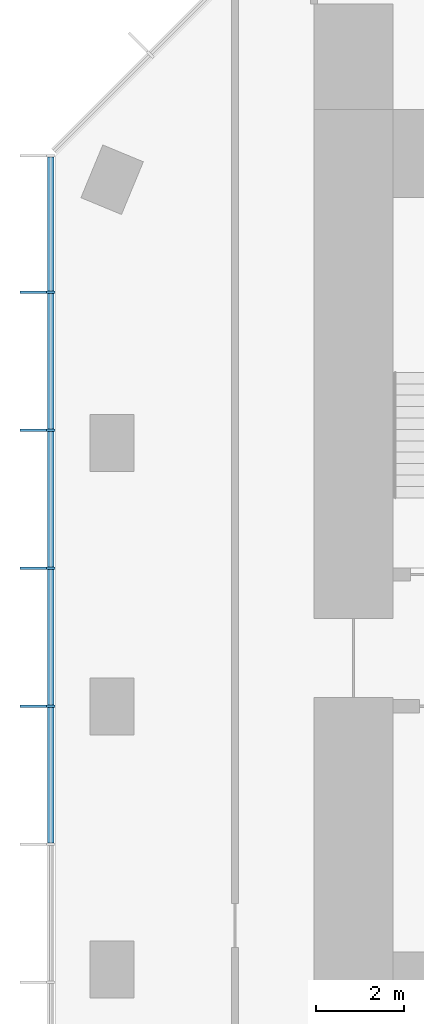
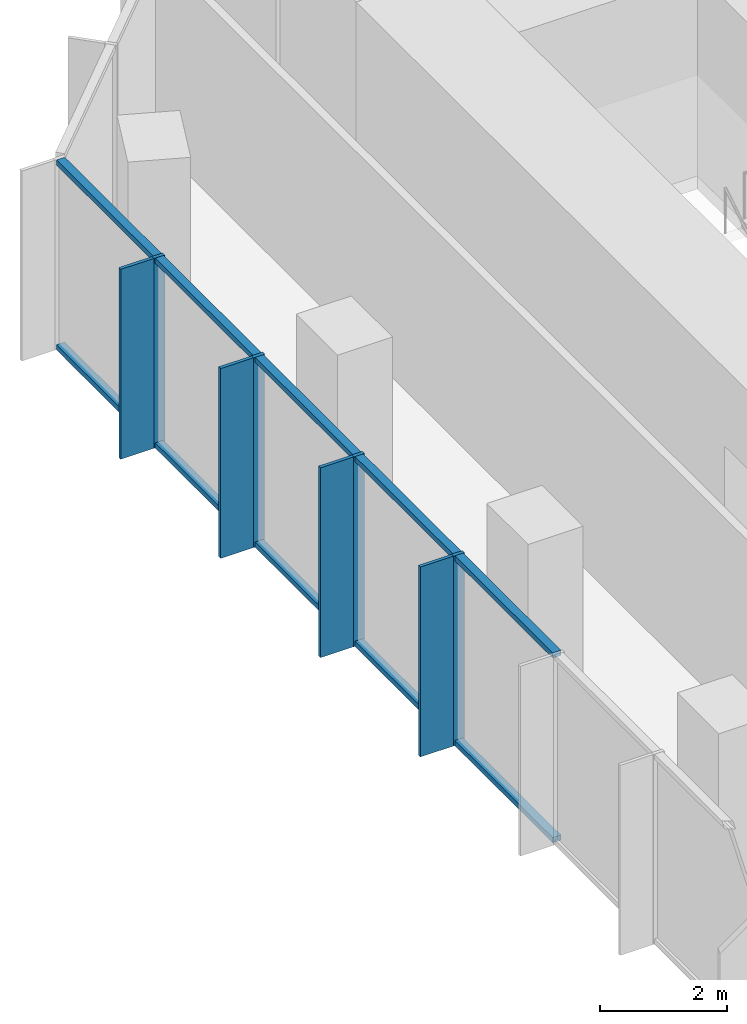
# One storey, part 3 of 11: 18 members, 1 element without a shape of its own.
"""IFC4 building model written with IfcOpenShell, lengths in metres."""

from ifc_helpers import new_model, si_unit, direction, frame, origin, origin_2d, place, context, subcontext, project, spatial, rectangle, extrude, material, layer, layer_set, material_profile, profile_set, type_object, element, aggregate, save


model = new_model("IFC4")

# Units and contexts
model_context = context("Model", 3, precision=1e-05, world=origin(), true_north=direction((0.0, 1.0)))
body_context = subcontext(model_context, "Body", "Model", "MODEL_VIEW")
ifc_project = project(units=[si_unit("LENGTHUNIT", "METRE"), si_unit("AREAUNIT", "SQUARE_METRE"), si_unit("VOLUMEUNIT", "CUBIC_METRE"), si_unit("PLANEANGLEUNIT", "RADIAN"), si_unit("MASSUNIT", "GRAM", prefix="KILO")], contexts=[model_context])

# Site, building, storey
site_placement = place(None, origin())
site = spatial("IfcSite", under=ifc_project, at=site_placement, CompositionType="ELEMENT")
building_placement = place(site_placement, origin())
building = spatial("IfcBuilding", under=site, at=building_placement, Name="Highveld Stack Headquarters", CompositionType="ELEMENT")
storey_placement = place(building_placement, frame((0.0, 0.0, 291.800048828125)))
storey = spatial("IfcBuildingStorey", under=building, at=storey_placement, Name="L72", CompositionType="ELEMENT", Elevation=291.800048828125)

# Curtain wall, members
ifc_material_1 = material(Name="Aluminium bronze anodised", Category="aluminium")
ifc_layer = layer(ifc_material_1, 0.199951171875)
ifc_layer_set = layer_set([ifc_layer], Name="Aluminium bronze anodised")
curtain_wall_type = type_object("IfcCurtainWallType", Name="CW5 EXECUTIVE UNITISED CURTAIN WALL", PredefinedType="NOTDEFINED", material=ifc_layer_set)
curtain_wall_placement = place(storey_placement, origin())
curtain_wall = element("IfcCurtainWall", 1, at=curtain_wall_placement, inside=storey, type_object=curtain_wall_type, Name="Curtain wall CW5 L72 W", PredefinedType="NOTDEFINED")
ifc_material_2 = material(Name="Aluminium bronze anodised", Category="aluminium")
ifc_material_profile_1 = material_profile(ifc_material_2, rectangle(XDim=0.60009765625, YDim=0.06005859375, at=origin_2d()), Name="FIN 600x60")
ifc_profile_set_1 = profile_set([ifc_material_profile_1], Name="Aluminium bronze anodised")
member_type_1 = type_object("IfcMemberType", Name="CW5 BRONZE FIN 600x60", PredefinedType="USERDEFINED", material=ifc_profile_set_1)
member_1_placement = place(storey_placement, frame((-13.800048828125, 9.434814453125, 0.0), z_axis=(0.0, 0.0, 1.0), x_axis=(1.0, 0.0, 0.0)))
member_1 = element("IfcMember", 2, at=member_1_placement, type_object=member_type_1, Name="CW5 fin L72 2", ObjectType="FIN", PredefinedType="USERDEFINED", context=body_context, shape_type="SweptSolid", body=[
    extrude(rectangle(XDim=0.60009765625, YDim=0.06005859375, at=origin_2d()), origin(), (0.0, 0.0, 1.0), 3.64990234375),
])
member_2_placement = place(storey_placement, frame((-13.800048828125, 6.2900390625, 0.0), z_axis=(0.0, 0.0, 1.0), x_axis=(1.0, 0.0, 0.0)))
member_2 = element("IfcMember", 3, at=member_2_placement, type_object=member_type_1, Name="CW5 fin L72 3", ObjectType="FIN", PredefinedType="USERDEFINED", context=body_context, shape_type="SweptSolid", body=[
    extrude(rectangle(XDim=0.60009765625, YDim=0.06005859375, at=origin_2d()), origin(), (0.0, 0.0, 1.0), 3.64990234375),
])
member_3_placement = place(storey_placement, frame((-13.800048828125, 3.14501953125, 0.0), z_axis=(0.0, 0.0, 1.0), x_axis=(1.0, 0.0, 0.0)))
member_3 = element("IfcMember", 4, at=member_3_placement, type_object=member_type_1, Name="CW5 fin L72 4", ObjectType="FIN", PredefinedType="USERDEFINED", context=body_context, shape_type="SweptSolid", body=[
    extrude(rectangle(XDim=0.60009765625, YDim=0.06005859375, at=origin_2d()), origin(), (0.0, 0.0, 1.0), 3.64990234375),
])
member_4_placement = place(storey_placement, frame((-13.800048828125, 0.0, 0.0), z_axis=(0.0, 0.0, 1.0), x_axis=(1.0, 0.0, 0.0)))
member_4 = element("IfcMember", 5, at=member_4_placement, type_object=member_type_1, Name="CW5 fin L72 5", ObjectType="FIN", PredefinedType="USERDEFINED", context=body_context, shape_type="SweptSolid", body=[
    extrude(rectangle(XDim=0.60009765625, YDim=0.06005859375, at=origin_2d()), origin(), (0.0, 0.0, 1.0), 3.64990234375),
])
ifc_material_3 = material(Name="Aluminium bronze anodised", Category="aluminium")
ifc_material_profile_2 = material_profile(ifc_material_3, rectangle(XDim=0.199951171875, YDim=0.06494140625, at=origin_2d()), Name="CW5 MULLION 65x200")
ifc_profile_set_2 = profile_set([ifc_material_profile_2], Name="Aluminium bronze anodised")
member_type_2 = type_object("IfcMemberType", Name="CW5 MULLION 65x200", PredefinedType="MULLION", material=ifc_profile_set_2)
member_5_placement = place(storey_placement, frame((-13.39990234375, 9.434814453125, 0.0), z_axis=(0.0, 0.0, 1.0), x_axis=(1.0, 0.0, 0.0)))
member_5 = element("IfcMember", 6, at=member_5_placement, type_object=member_type_2, Name="CW5 mullion L72 2", PredefinedType="MULLION", context=body_context, shape_type="SweptSolid", body=[
    extrude(rectangle(XDim=0.199951171875, YDim=0.06494140625, at=origin_2d()), origin(), (0.0, 0.0, 1.0), 3.64990234375),
])
member_6_placement = place(storey_placement, frame((-13.39990234375, 6.2900390625, 0.0), z_axis=(0.0, 0.0, 1.0), x_axis=(1.0, 0.0, 0.0)))
member_6 = element("IfcMember", 7, at=member_6_placement, type_object=member_type_2, Name="CW5 mullion L72 3", PredefinedType="MULLION", context=body_context, shape_type="SweptSolid", body=[
    extrude(rectangle(XDim=0.199951171875, YDim=0.06494140625, at=origin_2d()), origin(), (0.0, 0.0, 1.0), 3.64990234375),
])
member_7_placement = place(storey_placement, frame((-13.39990234375, 3.14501953125, 0.0), z_axis=(0.0, 0.0, 1.0), x_axis=(1.0, 0.0, 0.0)))
member_7 = element("IfcMember", 8, at=member_7_placement, type_object=member_type_2, Name="CW5 mullion L72 4", PredefinedType="MULLION", context=body_context, shape_type="SweptSolid", body=[
    extrude(rectangle(XDim=0.199951171875, YDim=0.06494140625, at=origin_2d()), origin(), (0.0, 0.0, 1.0), 3.64990234375),
])
member_8_placement = place(storey_placement, frame((-13.39990234375, 0.0, 0.0), z_axis=(0.0, 0.0, 1.0), x_axis=(1.0, 0.0, 0.0)))
member_8 = element("IfcMember", 9, at=member_8_placement, type_object=member_type_2, Name="CW5 mullion L72 5", PredefinedType="MULLION", context=body_context, shape_type="SweptSolid", body=[
    extrude(rectangle(XDim=0.199951171875, YDim=0.06494140625, at=origin_2d()), origin(), (0.0, 0.0, 1.0), 3.64990234375),
])
ifc_material_4 = material(Name="Aluminium bronze anodised", Category="aluminium")
ifc_material_profile_3 = material_profile(ifc_material_4, rectangle(XDim=0.14990234375, YDim=0.10009765625, at=origin_2d()), Name="CW5 TRANSOM 150x100")
ifc_profile_set_3 = profile_set([ifc_material_profile_3], Name="Aluminium bronze anodised")
member_type_3 = type_object("IfcMemberType", Name="CW5 STACK TRANSOM 150x100", PredefinedType="USERDEFINED", material=ifc_profile_set_3)
member_9_placement = place(storey_placement, frame((-13.39990234375, 12.514892578125, 0.050048828125), z_axis=(0.0, -1.0, 0.0), x_axis=(1.0, 0.0, 0.0)))
member_9 = element("IfcMember", 10, at=member_9_placement, type_object=member_type_3, Name="CW5 transom L72 1.1", ObjectType="TRANSOM", PredefinedType="USERDEFINED", context=body_context, shape_type="SweptSolid", body=[
    extrude(rectangle(XDim=0.14990234375, YDim=0.10009765625, at=origin_2d()), origin(), (0.0, 0.0, 1.0), 3.047607421875),
])
member_10_placement = place(storey_placement, frame((-13.39990234375, 12.514892578125, 3.599853515625), z_axis=(0.0, -1.0, 0.0), x_axis=(1.0, 0.0, 0.0)))
member_10 = element("IfcMember", 11, at=member_10_placement, type_object=member_type_3, Name="CW5 transom L72 1.2", ObjectType="TRANSOM", PredefinedType="USERDEFINED", context=body_context, shape_type="SweptSolid", body=[
    extrude(rectangle(XDim=0.14990234375, YDim=0.10009765625, at=origin_2d()), origin(), (0.0, 0.0, 1.0), 3.047607421875),
])
member_11_placement = place(storey_placement, frame((-13.39990234375, 9.40234375, 0.050048828125), z_axis=(0.0, -1.0, 0.0), x_axis=(1.0, 0.0, 0.0)))
member_11 = element("IfcMember", 12, at=member_11_placement, type_object=member_type_3, Name="CW5 transom L72 2.1", ObjectType="TRANSOM", PredefinedType="USERDEFINED", context=body_context, shape_type="SweptSolid", body=[
    extrude(rectangle(XDim=0.14990234375, YDim=0.10009765625, at=origin_2d()), origin(), (0.0, 0.0, 1.0), 3.079833984375),
])
member_12_placement = place(storey_placement, frame((-13.39990234375, 9.40234375, 3.599853515625), z_axis=(0.0, -1.0, 0.0), x_axis=(1.0, 0.0, 0.0)))
member_12 = element("IfcMember", 13, at=member_12_placement, type_object=member_type_3, Name="CW5 transom L72 2.2", ObjectType="TRANSOM", PredefinedType="USERDEFINED", context=body_context, shape_type="SweptSolid", body=[
    extrude(rectangle(XDim=0.14990234375, YDim=0.10009765625, at=origin_2d()), origin(), (0.0, 0.0, 1.0), 3.079833984375),
])
member_13_placement = place(storey_placement, frame((-13.39990234375, 6.257568359375, 0.050048828125), z_axis=(0.0, -1.0, 0.0), x_axis=(1.0, 0.0, 0.0)))
member_13 = element("IfcMember", 14, at=member_13_placement, type_object=member_type_3, Name="CW5 transom L72 3.1", ObjectType="TRANSOM", PredefinedType="USERDEFINED", context=body_context, shape_type="SweptSolid", body=[
    extrude(rectangle(XDim=0.14990234375, YDim=0.10009765625, at=origin_2d()), origin(), (0.0, 0.0, 1.0), 3.080078125),
])
member_14_placement = place(storey_placement, frame((-13.39990234375, 6.257568359375, 3.599853515625), z_axis=(0.0, -1.0, 0.0), x_axis=(1.0, 0.0, 0.0)))
member_14 = element("IfcMember", 15, at=member_14_placement, type_object=member_type_3, Name="CW5 transom L72 3.2", ObjectType="TRANSOM", PredefinedType="USERDEFINED", context=body_context, shape_type="SweptSolid", body=[
    extrude(rectangle(XDim=0.14990234375, YDim=0.10009765625, at=origin_2d()), origin(), (0.0, 0.0, 1.0), 3.080078125),
])
member_15_placement = place(storey_placement, frame((-13.39990234375, 3.112548828125, 0.050048828125), z_axis=(0.0, -1.0, 0.0), x_axis=(1.0, 0.0, 0.0)))
member_15 = element("IfcMember", 16, at=member_15_placement, type_object=member_type_3, Name="CW5 transom L72 4.1", ObjectType="TRANSOM", PredefinedType="USERDEFINED", context=body_context, shape_type="SweptSolid", body=[
    extrude(rectangle(XDim=0.14990234375, YDim=0.10009765625, at=origin_2d()), origin(), (0.0, 0.0, 1.0), 3.080078125),
])
member_16_placement = place(storey_placement, frame((-13.39990234375, 3.112548828125, 3.599853515625), z_axis=(0.0, -1.0, 0.0), x_axis=(1.0, 0.0, 0.0)))
member_16 = element("IfcMember", 17, at=member_16_placement, type_object=member_type_3, Name="CW5 transom L72 4.2", ObjectType="TRANSOM", PredefinedType="USERDEFINED", context=body_context, shape_type="SweptSolid", body=[
    extrude(rectangle(XDim=0.14990234375, YDim=0.10009765625, at=origin_2d()), origin(), (0.0, 0.0, 1.0), 3.080078125),
])
member_17_placement = place(storey_placement, frame((-13.39990234375, -0.032470703125, 0.050048828125), z_axis=(0.0, -1.0, 0.0), x_axis=(1.0, 0.0, 0.0)))
member_17 = element("IfcMember", 18, at=member_17_placement, type_object=member_type_3, Name="CW5 transom L72 5.1", ObjectType="TRANSOM", PredefinedType="USERDEFINED", context=body_context, shape_type="SweptSolid", body=[
    extrude(rectangle(XDim=0.14990234375, YDim=0.10009765625, at=origin_2d()), origin(), (0.0, 0.0, 1.0), 3.080078125),
])
member_18_placement = place(storey_placement, frame((-13.39990234375, -0.032470703125, 3.599853515625), z_axis=(0.0, -1.0, 0.0), x_axis=(1.0, 0.0, 0.0)))
member_18 = element("IfcMember", 19, at=member_18_placement, type_object=member_type_3, Name="CW5 transom L72 5.2", ObjectType="TRANSOM", PredefinedType="USERDEFINED", context=body_context, shape_type="SweptSolid", body=[
    extrude(rectangle(XDim=0.14990234375, YDim=0.10009765625, at=origin_2d()), origin(), (0.0, 0.0, 1.0), 3.080078125),
])
aggregate(curtain_wall, [member_5, member_1, member_6, member_2, member_7, member_3, member_8, member_4, member_9, member_10, member_11, member_12, member_13, member_14, member_15, member_16, member_17, member_18])

save(model, "model.ifc")
